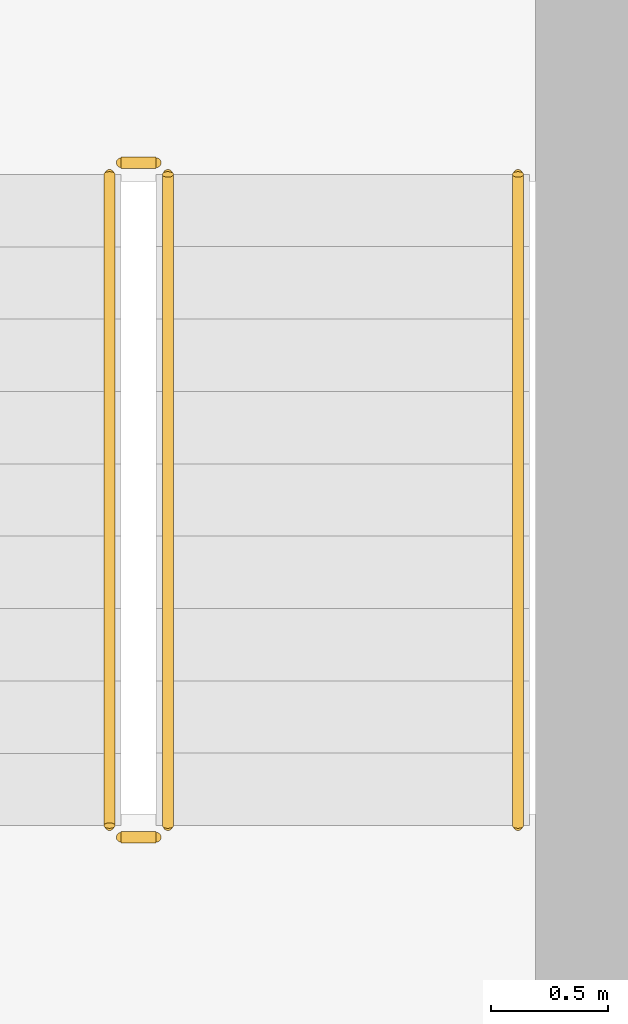
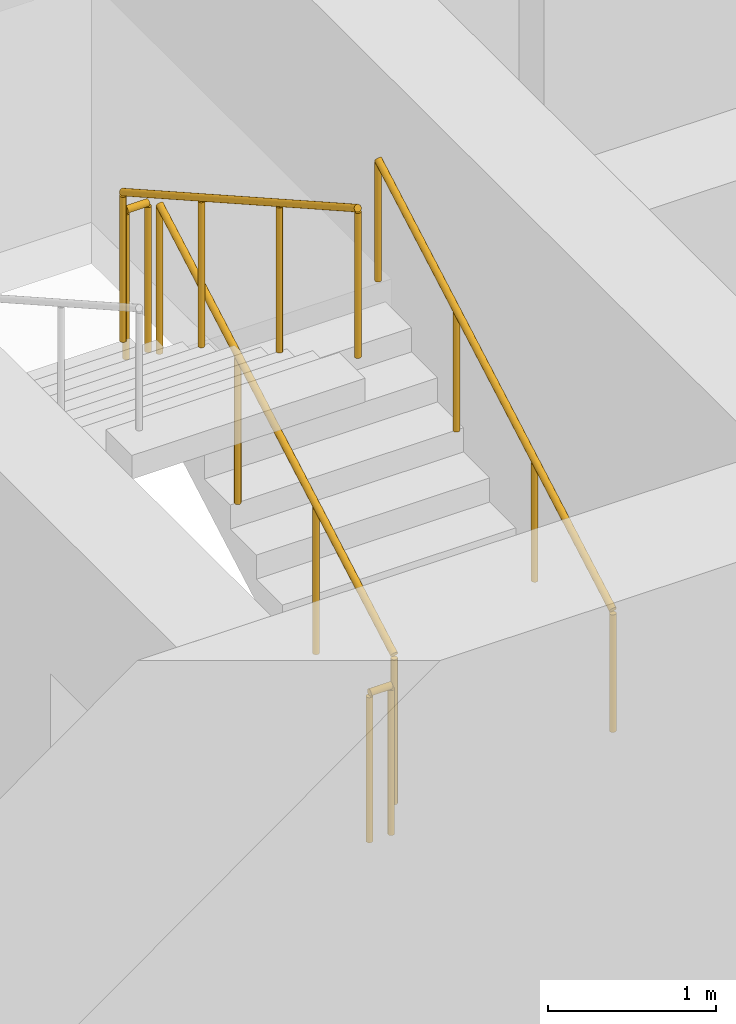
# One storey, part 18 of 22: 5 railings.
"""IFC4 building model written with IfcOpenShell, lengths in metres."""

from ifc_helpers import new_model, si_unit, direction, frame, origin, origin_2d, place, context, subcontext, project, spatial, circle, extrude, material, type_object, element, save


model = new_model("IFC4")

# Units and contexts
model_context = context("Model", 3, precision=1e-05, world=origin(), true_north=direction((0.0, 1.0)))
body_context = subcontext(model_context, "Body", "Model", "MODEL_VIEW")
ifc_project = project(units=[si_unit("LENGTHUNIT", "METRE"), si_unit("AREAUNIT", "SQUARE_METRE"), si_unit("VOLUMEUNIT", "CUBIC_METRE"), si_unit("PLANEANGLEUNIT", "RADIAN"), si_unit("MASSUNIT", "GRAM", prefix="KILO")], contexts=[model_context])

# Site, building, storey
site_placement = place(None, origin())
site = spatial("IfcSite", under=ifc_project, at=site_placement, CompositionType="ELEMENT")
building_placement = place(site_placement, origin())
building = spatial("IfcBuilding", under=site, at=building_placement, Name="Madar Terraces", CompositionType="ELEMENT")
storey_placement = place(building_placement, frame((0.0, 0.0, 73.300048828125)))
storey = spatial("IfcBuildingStorey", under=building, at=storey_placement, Name="L18", CompositionType="ELEMENT", Elevation=73.300048828125)

# Railings
ifc_material_1 = material(Name="Stainless steel railing", Category="steel")
railing_type_1 = type_object("IfcRailingType", Name="Stair guard 1100", PredefinedType="GUARDRAIL", material=ifc_material_1)
railing_1_placement = place(storey_placement, frame((21.199951171875, 17.60009765625, 0.175048828125)))
element("IfcRailing", 1, at=railing_1_placement, inside=storey, type_object=railing_type_1, Name="L18 ST1 stair guard 1", PredefinedType="GUARDRAIL", context=body_context, shape_type="SweptSolid", body=[
    extrude(circle(Radius=0.02392578125, at=origin_2d()), frame((0.0, 0.0, 1.076171875), z_axis=(0.0, 0.870815363784, 0.491610213684), x_axis=(-1.0, 0.0, 0.0)), (0.0, 0.0, 1.0), 3.20361328125),
    extrude(circle(Radius=0.02099609375, at=origin_2d()), origin(), (0.0, 0.0, 1.0), 1.052001953125),
    extrude(circle(Radius=0.02099609375, at=origin_2d()), frame((0.0, 0.929931640625, 0.52490234375)), (0.0, 0.0, 1.0), 1.052001953125),
    extrude(circle(Radius=0.02099609375, at=origin_2d()), frame((0.0, 1.85986328125, 1.050048828125)), (0.0, 0.0, 1.0), 1.052001953125),
    extrude(circle(Radius=0.02099609375, at=origin_2d()), frame((0.0, 2.789794921875, 1.574951171875)), (0.0, 0.0, 1.0), 1.052001953125),
])
railing_2_placement = place(storey_placement, frame((21.14990234375, 20.43994140625, 1.75)))
element("IfcRailing", 2, at=railing_2_placement, inside=storey, type_object=railing_type_1, Name="L18 ST1 stair guard 2", PredefinedType="GUARDRAIL", context=body_context, shape_type="SweptSolid", body=[
    extrude(circle(Radius=0.02392578125, at=origin_2d()), frame((0.0, 0.0, 1.076171875), z_axis=(-1.0, 0.0, 0.0), x_axis=(0.0, -1.0, 0.0)), (0.0, 0.0, 1.0), 0.14990234375),
    extrude(circle(Radius=0.02099609375, at=origin_2d()), origin(), (0.0, 0.0, 1.0), 1.052001953125),
    extrude(circle(Radius=0.02099609375, at=origin_2d()), frame((-0.14990234375, 0.0, 0.0)), (0.0, 0.0, 1.0), 1.052001953125),
])
railing_3_placement = place(storey_placement, frame((20.949951171875, 20.389892578125, 1.925048828125)))
element("IfcRailing", 3, at=railing_3_placement, inside=storey, type_object=railing_type_1, Name="L18 ST1 stair guard 3", PredefinedType="GUARDRAIL", context=body_context, shape_type="SweptSolid", body=[
    extrude(circle(Radius=0.02392578125, at=origin_2d()), frame((0.0, 0.0, 1.076171875), z_axis=(0.0, -0.870815363784, 0.491610213684), x_axis=(1.0, 0.0, 0.0)), (0.0, 0.0, 1.0), 3.20361328125),
    extrude(circle(Radius=0.02099609375, at=origin_2d()), origin(), (0.0, 0.0, 1.0), 1.052001953125),
    extrude(circle(Radius=0.02099609375, at=origin_2d()), frame((0.0, -0.929931640625, 0.52490234375)), (0.0, 0.0, 1.0), 1.052001953125),
    extrude(circle(Radius=0.02099609375, at=origin_2d()), frame((0.0, -1.85986328125, 1.050048828125)), (0.0, 0.0, 1.0), 1.052001953125),
    extrude(circle(Radius=0.02099609375, at=origin_2d()), frame((0.0, -2.789794921875, 1.574951171875)), (0.0, 0.0, 1.0), 1.052001953125),
])
railing_4_placement = place(storey_placement, frame((21.14990234375, 17.550048828125, 0.0)))
element("IfcRailing", 4, at=railing_4_placement, inside=storey, type_object=railing_type_1, Name="L18 ST1 stair guard 4", PredefinedType="GUARDRAIL", context=body_context, shape_type="SweptSolid", body=[
    extrude(circle(Radius=0.02392578125, at=origin_2d()), frame((0.0, 0.0, 1.076171875), z_axis=(-1.0, 0.0, 0.0), x_axis=(0.0, -1.0, 0.0)), (0.0, 0.0, 1.0), 0.14990234375),
    extrude(circle(Radius=0.02099609375, at=origin_2d()), origin(), (0.0, 0.0, 1.0), 1.052001953125),
    extrude(circle(Radius=0.02099609375, at=origin_2d()), frame((-0.14990234375, 0.0, 0.0)), (0.0, 0.0, 1.0), 1.052001953125),
])
ifc_material_2 = material(Name="Stainless steel railing", Category="steel")
railing_type_2 = type_object("IfcRailingType", Name="Stair handrail 900", PredefinedType="HANDRAIL", material=ifc_material_2)
railing_5_placement = place(storey_placement, frame((22.699951171875, 17.60009765625, 0.175048828125)))
element("IfcRailing", 5, at=railing_5_placement, inside=storey, type_object=railing_type_2, Name="L18 ST1 stair handrail 1", PredefinedType="HANDRAIL", context=body_context, shape_type="SweptSolid", body=[
    extrude(circle(Radius=0.02392578125, at=origin_2d()), frame((0.0, 0.0, 0.8759765625), z_axis=(0.0, 0.870815363784, 0.491610213684), x_axis=(-1.0, 0.0, 0.0)), (0.0, 0.0, 1.0), 3.20361328125),
    extrude(circle(Radius=0.02099609375, at=origin_2d()), origin(), (0.0, 0.0, 1.0), 0.851806640625),
    extrude(circle(Radius=0.02099609375, at=origin_2d()), frame((0.0, 0.929931640625, 0.52490234375)), (0.0, 0.0, 1.0), 0.851806640625),
    extrude(circle(Radius=0.02099609375, at=origin_2d()), frame((0.0, 1.85986328125, 1.050048828125)), (0.0, 0.0, 1.0), 0.851806640625),
    extrude(circle(Radius=0.02099609375, at=origin_2d()), frame((0.0, 2.789794921875, 1.574951171875)), (0.0, 0.0, 1.0), 0.851806640625),
])

save(model, "model.ifc")
